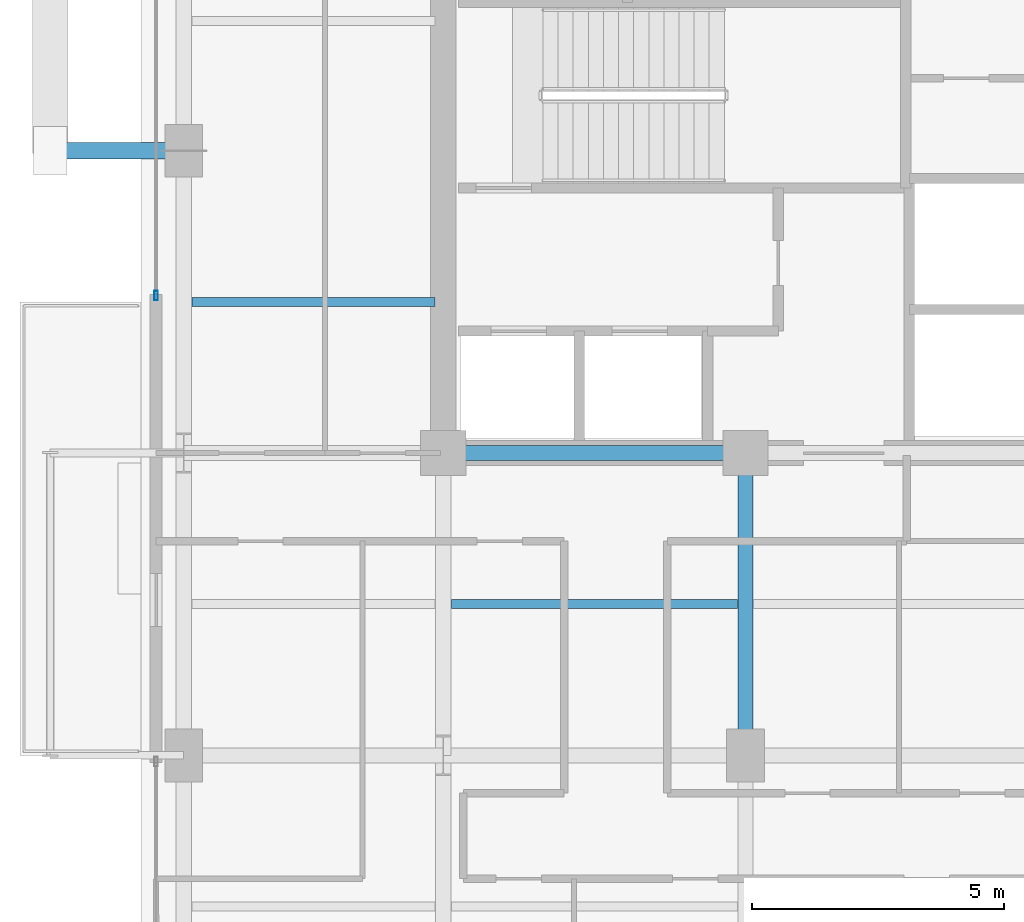
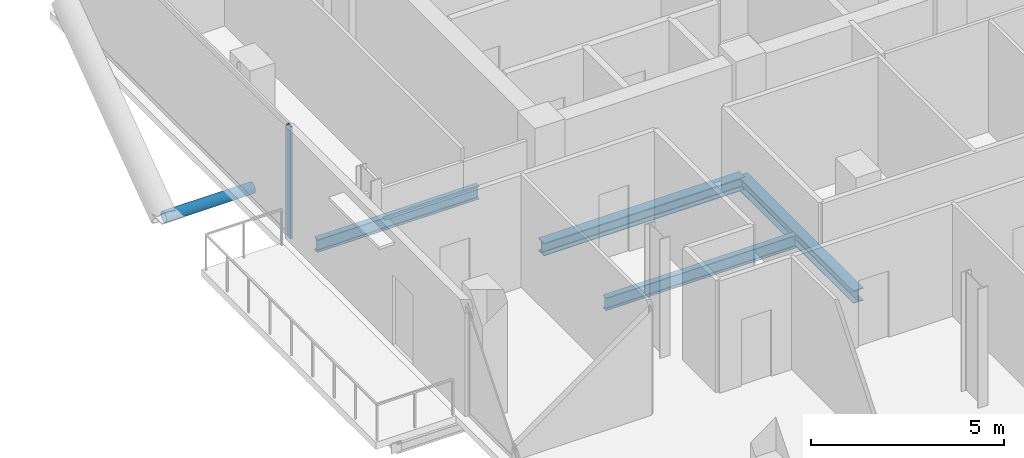
# One storey, part 7 of 22: 4 beams, 2 members, 1 element without a shape of its own.
"""IFC4 building model written with IfcOpenShell, lengths in metres."""

from ifc_helpers import new_model, si_unit, direction, frame, origin, origin_2d, place, context, subcontext, project, spatial, hollow_rectangle, hollow_circle, i_section, extrude, material, layer, layer_set, material_profile, profile_set, type_object, element, aggregate, save


model = new_model("IFC4")

# Units and contexts
model_context = context("Model", 3, precision=1e-05, world=origin(), true_north=direction((0.0, 1.0)))
body_context = subcontext(model_context, "Body", "Model", "MODEL_VIEW")
ifc_project = project(units=[si_unit("LENGTHUNIT", "METRE"), si_unit("AREAUNIT", "SQUARE_METRE"), si_unit("VOLUMEUNIT", "CUBIC_METRE"), si_unit("PLANEANGLEUNIT", "RADIAN"), si_unit("MASSUNIT", "GRAM", prefix="KILO"), si_unit("THERMODYNAMICTEMPERATUREUNIT", "KELVIN"), si_unit("POWERUNIT", "WATT")], contexts=[model_context])

# Site, building, storey
site_placement = place(None, origin())
site = spatial("IfcSite", under=ifc_project, at=site_placement, CompositionType="ELEMENT")
building_placement = place(site_placement, origin())
building = spatial("IfcBuilding", under=site, at=building_placement, Name="Svarakhadi Broadcast Tower", CompositionType="ELEMENT")
storey_placement = place(building_placement, frame((0.0, 0.0, 191.699951171875)))
storey = spatial("IfcBuildingStorey", under=building, at=storey_placement, Name="L47", CompositionType="ELEMENT", Elevation=191.699951171875)

# Beams
ifc_material_1 = material(Name="Steel S355J2 (IS 2062 E350C)", Category="steel")
ifc_material_profile_1 = material_profile(ifc_material_1, i_section(OverallWidth=0.179931640625, OverallDepth=0.39990234375, WebThickness=0.008544921875, FlangeThickness=0.013427734375, FilletRadius=0.02099609375, at=origin_2d()), Name="NPB 400x180x66")
ifc_profile_set_1 = profile_set([ifc_material_profile_1], Name="Steel S355J2 (IS 2062 E350C)")
beam_type_1 = type_object("IfcBeamType", Name="Beam_NPB400", PredefinedType="BEAM", material=ifc_profile_set_1)
beam_1_placement = place(storey_placement, frame((1.010009765625, 21.0, -0.409912109375), z_axis=(1.0, 0.0, 0.0), x_axis=(0.0, 1.0, 0.0)))
element("IfcBeam", 1, at=beam_1_placement, inside=storey, type_object=beam_type_1, Name="L47 Secondary Composite Beam SB003", PredefinedType="BEAM", context=body_context, shape_type="SweptSolid", body=[
    extrude(i_section(OverallWidth=0.179931640625, OverallDepth=0.39990234375, WebThickness=0.008544921875, FlangeThickness=0.013427734375, FilletRadius=0.02099609375, at=origin_2d()), origin(), (0.0, 0.0, 1.0), 4.830078125),
])
beam_2_placement = place(storey_placement, frame((6.159912109375, 15.0, -0.409912109375), z_axis=(1.0, 0.0, 0.0), x_axis=(0.0, 1.0, 0.0)))
element("IfcBeam", 2, at=beam_2_placement, inside=storey, type_object=beam_type_1, Name="L47 Secondary Composite Beam SB007", PredefinedType="BEAM", context=body_context, shape_type="SweptSolid", body=[
    extrude(i_section(OverallWidth=0.179931640625, OverallDepth=0.39990234375, WebThickness=0.008544921875, FlangeThickness=0.013427734375, FilletRadius=0.02099609375, at=origin_2d()), origin(), (0.0, 0.0, 1.0), 5.68017578125),
])

# Curtain wall, member
ifc_material_2 = material(Name="Anodised Bronze Aluminium AA 6063-T6", Category="aluminium")
ifc_layer = layer(ifc_material_2, 0.18994140625)
ifc_layer_set = layer_set([ifc_layer], Name="Anodised Bronze Aluminium AA 6063-T6")
curtain_wall_type = type_object("IfcCurtainWallType", Name="CW_Sys_04", PredefinedType="NOTDEFINED", material=ifc_layer_set)
curtain_wall_placement = place(storey_placement, origin())
curtain_wall = element("IfcCurtainWall", 3, at=curtain_wall_placement, inside=storey, type_object=curtain_wall_type, Name="L47 West Curtain Wall 03", PredefinedType="NOTDEFINED")
ifc_material_profile_2 = material_profile(ifc_material_2, hollow_rectangle(XDim=0.070068359375, YDim=0.18994140625, WallThickness=0.005615234375, at=origin_2d()), Name="ALU MULLION 190x70x6")
ifc_profile_set_2 = profile_set([ifc_material_profile_2], Name="Anodised Bronze Aluminium AA 6063-T6")
member_type_1 = type_object("IfcMemberType", Name="CW_Sys_04_Mul", PredefinedType="MULLION", material=ifc_profile_set_2)
member_1_placement = place(storey_placement, frame((0.300048828125, 21.125, 0.0), z_axis=(0.0, 0.0, 1.0), x_axis=(-1.0, 0.0, 0.0)))
member_1 = element("IfcMember", 4, at=member_1_placement, type_object=member_type_1, Name="CW-04 mullion 1", PredefinedType="MULLION", context=body_context, shape_type="SweptSolid", body=[
    extrude(hollow_rectangle(XDim=0.070068359375, YDim=0.18994140625, WallThickness=0.005615234375, at=origin_2d()), origin(), (0.0, 0.0, 1.0), 3.5400390625),
])
aggregate(curtain_wall, [member_1])

# Member
ifc_material_3 = material(Name="Steel S460ML (IS 2062 E450BR)", Category="steel")
ifc_material_profile_3 = material_profile(ifc_material_3, hollow_circle(Radius=0.161865234375, WallThickness=0.01611328125, at=origin_2d()), Name="CHS 323.9x16")
ifc_profile_set_3 = profile_set([ifc_material_profile_3], Name="Steel S460ML (IS 2062 E450BR)")
member_type_2 = type_object("IfcMemberType", Name="Exo_Radial_Strut_Z2", PredefinedType="STRUT", material=ifc_profile_set_3)
member_2_placement = place(storey_placement, frame((-1.800048828125, 24.0, -0.371826171875), z_axis=(1.0, 0.0, 0.0), x_axis=(0.0, 1.0, 0.0)))
element("IfcMember", 5, at=member_2_placement, inside=storey, type_object=member_type_2, Name="L47 Exoskeleton Radial Tie Strut W03", PredefinedType="STRUT", context=body_context, shape_type="SweptSolid", body=[
    extrude(hollow_circle(Radius=0.161865234375, WallThickness=0.01611328125, at=origin_2d()), origin(), (0.0, 0.0, 1.0), 2.650146484375),
])

# Beams
ifc_material_profile_4 = material_profile(ifc_material_1, i_section(OverallWidth=0.300048828125, OverallDepth=0.39990234375, WebThickness=0.013427734375, FlangeThickness=0.02392578125, FilletRadius=0.027099609375, at=origin_2d()), Name="WPB 400x300x155")
ifc_profile_set_4 = profile_set([ifc_material_profile_4], Name="Steel S355J2 (IS 2062 E350C)")
beam_type_2 = type_object("IfcBeamType", Name="Girder_WPB400", PredefinedType="USERDEFINED", material=ifc_profile_set_4)
for number, where, z_axis, x_axis, name in (
    (6, (6.0, 18.0, -0.409912109375), (1.0, 0.0, 0.0), (0.0, 1.0, 0.0), "L47 Primary E-W Girder G021"),
    (7, (12.0, 12.0, -0.409912109375), (0.0, 1.0, 0.0), (-1.0, 0.0, 0.0), "L47 Primary N-S Girder G044"),
):
    element("IfcBeam", number, at=place(storey_placement, frame(where, z_axis=z_axis, x_axis=x_axis)), inside=storey, type_object=beam_type_2, Name=name, ObjectType="GIRDER", PredefinedType="USERDEFINED", context=body_context, shape_type="SweptSolid", body=[
        extrude(i_section(OverallWidth=0.300048828125, OverallDepth=0.39990234375, WebThickness=0.013427734375, FlangeThickness=0.02392578125, FilletRadius=0.027099609375, at=origin_2d()), origin(), (0.0, 0.0, 1.0), 6.0),
    ])

save(model, "model.ifc")
